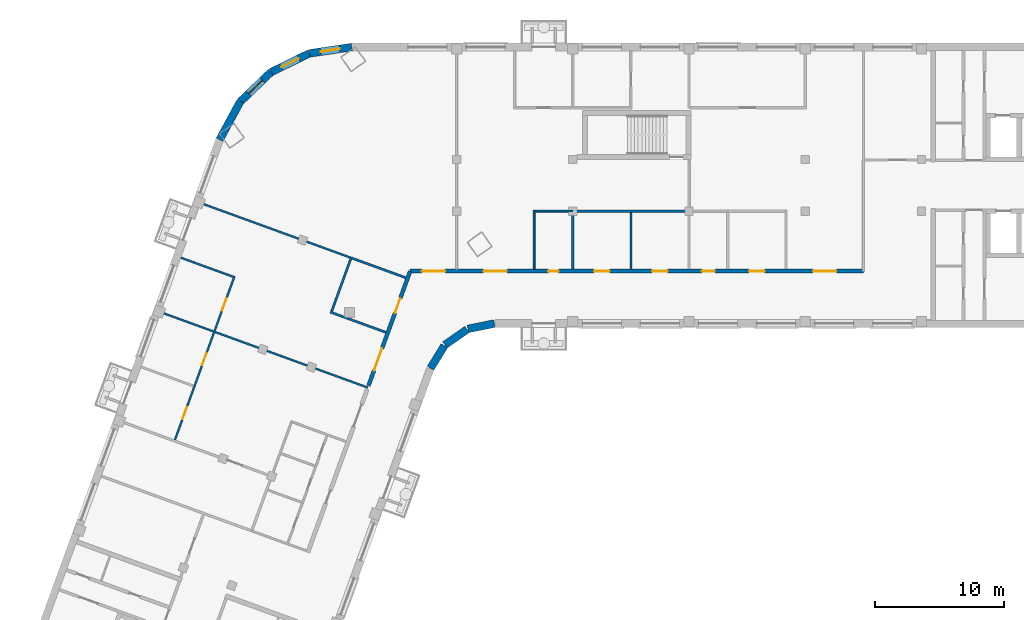
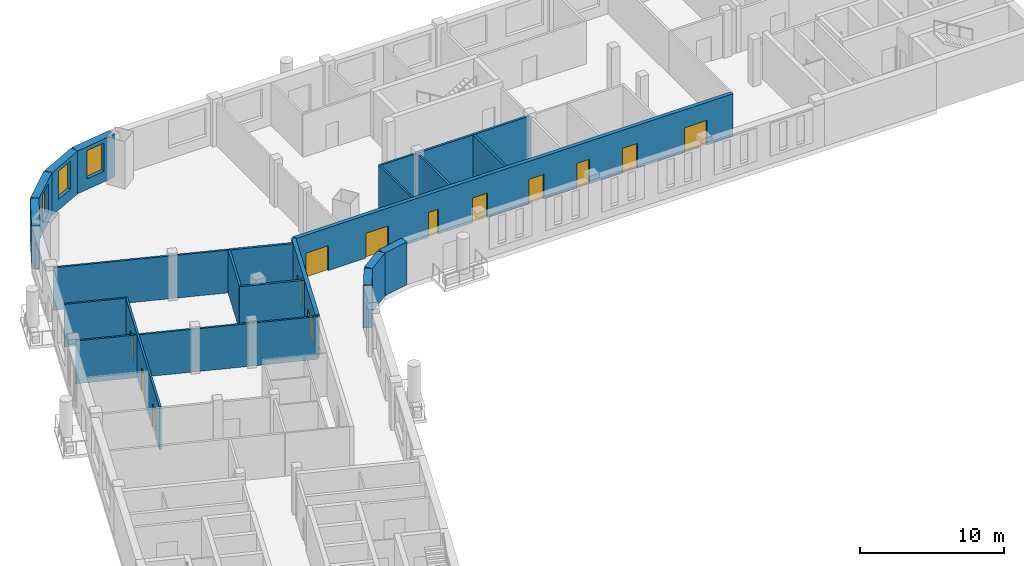
# One storey, part 4 of 11: 21 walls, 13 doors, 3 windows, 16 openings.
"""IFC4 building model written with IfcOpenShell, lengths in metres."""

from ifc_helpers import new_model, si_unit, direction, frame, frame_2d, origin, place, context, subcontext, project, spatial, rectangle, extrude, material, layer, layer_set, type_object, element, fill, save


model = new_model("IFC4")

# Units and contexts
model_context = context("Model", 3, precision=1e-05, world=origin(), true_north=direction((0.0, 1.0)))
body_context = subcontext(model_context, "Body", "Model", "MODEL_VIEW")
ifc_project = project(units=[si_unit("LENGTHUNIT", "METRE"), si_unit("AREAUNIT", "SQUARE_METRE"), si_unit("VOLUMEUNIT", "CUBIC_METRE"), si_unit("PLANEANGLEUNIT", "RADIAN"), si_unit("MASSUNIT", "GRAM", prefix="KILO")], contexts=[model_context])

# Site, building, storey
site_placement = place(None, origin())
site = spatial("IfcSite", under=ifc_project, at=site_placement, CompositionType="ELEMENT")
building_placement = place(site_placement, origin())
building = spatial("IfcBuilding", under=site, at=building_placement, Name="Skarvind Civic Tower", CompositionType="ELEMENT")
storey_placement = place(building_placement, frame((0.0, 0.0, 142.5)))
storey = spatial("IfcBuildingStorey", under=building, at=storey_placement, Name="L33", CompositionType="ELEMENT", Elevation=142.5)

# Walls
ifc_material_1 = material(Name="Acoustic gypsum board on steel studs", Category="steel")
ifc_layer_1 = layer(ifc_material_1, 0.175048828125)
ifc_layer_set_1 = layer_set([ifc_layer_1], Name="ACOUSTIC MEETING-ROOM PARTITION 175")
wall_type_1 = type_object("IfcWallType", Name="ACOUSTIC MEETING-ROOM PARTITION 175", PredefinedType="PARTITIONING", material=ifc_layer_set_1)
wall_1_placement = place(storey_placement, frame((44.462890625, 118.18408203125, 0.0), z_axis=(0.0, 0.0, 1.0), x_axis=(0.939667480086, -0.342089208934, 0.0)))
element("IfcWall", 1, at=wall_1_placement, inside=storey, type_object=wall_type_1, Name="Partition 33.021", PredefinedType="PARTITIONING", context=body_context, shape_type="SweptSolid", body=[
    extrude(rectangle(XDim=4.586669921875, YDim=0.175048828125, at=frame_2d((2.29345703125, 0.0))), origin(), (0.0, 0.0, 1.0), 3.625),
])
wall_2_placement = place(storey_placement, frame((46.053955078125, 122.301025390625, 0.0), z_axis=(0.0, 0.0, 1.0), x_axis=(-0.341915262023, -0.93973078783, 0.0)))
element("IfcWall", 2, at=wall_2_placement, inside=storey, type_object=wall_type_1, Name="Partition 33.023", PredefinedType="PARTITIONING", context=body_context, shape_type="SweptSolid", body=[
    extrude(rectangle(XDim=4.32568359375, YDim=0.175048828125, at=frame_2d((2.162841796875, 0.0))), origin(), (0.0, 0.0, 1.0), 3.625),
])
wall_3_placement = place(storey_placement, frame((50.31201171875, 120.843017578125, 0.0), z_axis=(0.0, 0.0, 1.0), x_axis=(-0.939609529273, 0.342248349154, 0.0)))
element("IfcWall", 3, at=wall_3_placement, inside=storey, type_object=wall_type_1, Name="Partition 33.025", PredefinedType="PARTITIONING", context=body_context, shape_type="SweptSolid", body=[
    extrude(rectangle(XDim=4.499755859375, YDim=0.175048828125, at=frame_2d((2.25, 0.0))), origin(), (0.0, 0.0, 1.0), 3.625),
])
wall_4_placement = place(storey_placement, frame((63.25, 121.5, 0.0), z_axis=(0.0, 0.0, 1.0), x_axis=(0.0, 1.0, 0.0)))
element("IfcWall", 4, at=wall_4_placement, inside=storey, type_object=wall_type_1, Name="Partition 33.031", PredefinedType="PARTITIONING", context=body_context, shape_type="SweptSolid", body=[
    extrude(rectangle(XDim=4.412109375, YDim=0.175048828125, at=frame_2d((2.2060546875, 0.0))), origin(), (0.0, 0.0, 1.0), 3.625),
])
wall_5_placement = place(storey_placement, frame((63.25, 126.0, 0.0), z_axis=(0.0, 0.0, 1.0), x_axis=(1.0, 0.0, 0.0)))
element("IfcWall", 5, at=wall_5_placement, inside=storey, type_object=wall_type_1, Name="Partition 33.033", PredefinedType="PARTITIONING", context=body_context, shape_type="SweptSolid", body=[
    extrude(rectangle(XDim=9.0, YDim=0.175048828125, at=frame_2d((4.5, 0.0))), origin(), (0.0, 0.0, 1.0), 3.625),
])
wall_6_placement = place(storey_placement, frame((67.75, 121.5, 0.0), z_axis=(0.0, 0.0, 1.0), x_axis=(0.0, 1.0, 0.0)))
element("IfcWall", 6, at=wall_6_placement, inside=storey, type_object=wall_type_1, Name="Partition 33.035", PredefinedType="PARTITIONING", context=body_context, shape_type="SweptSolid", body=[
    extrude(rectangle(XDim=4.412109375, YDim=0.175048828125, at=frame_2d((2.2060546875, 0.0))), origin(), (0.0, 0.0, 1.0), 3.625),
])

# Wall, openings, doors
ifc_material_2 = material(Name="Fire-rated gypsum board on steel studs", Category="steel")
ifc_layer_2 = layer(ifc_material_2, 0.300048828125)
ifc_layer_set_2 = layer_set([ifc_layer_2], Name="CORRIDOR WALL 300")
wall_type_2 = type_object("IfcWallType", Name="CORRIDOR WALL 300", PredefinedType="PARTITIONING", material=ifc_layer_set_2)
wall_7_placement = place(storey_placement, frame((47.425048828125, 112.472900390625, 0.0), z_axis=(0.0, 0.0, 1.0), x_axis=(0.34204602842, 0.939683198978, 0.0)))
wall_7 = element("IfcWall", 7, at=wall_7_placement, inside=storey, type_object=wall_type_2, Name="Partition 33.024", PredefinedType="PARTITIONING", context=body_context, shape_type="SweptSolid", body=[
    extrude(rectangle(XDim=9.446044921875, YDim=0.300048828125, at=frame_2d((4.72314453125, 0.0))), origin(), (0.0, 0.0, 1.0), 3.625),
])
opening_1_placement = place(wall_7_placement, frame((6.003173828125, 0.0, 0.0)))
opening_1 = element("IfcOpeningElement", 8, at=opening_1_placement, cuts=wall_7, Name="Opening L33-D020", PredefinedType="OPENING", context=body_context, shape_type="SweptSolid", body=[
    extrude(rectangle(XDim=1.199951171875, YDim=2.10009765625, at=frame_2d((0.60009765625, 1.050048828125))), frame((0.0, 0.159912109375, 0.0), z_axis=(0.0, -1.0, 0.0), x_axis=(1.0, 0.0, 0.0)), (0.0, 0.0, 1.0), 0.320068359375),
])
opening_2_placement = place(wall_7_placement, frame((1.2666015625, 0.0, 0.0)))
opening_2 = element("IfcOpeningElement", 9, at=opening_2_placement, cuts=wall_7, Name="Opening L33-D022", PredefinedType="OPENING", context=body_context, shape_type="SweptSolid", body=[
    extrude(rectangle(XDim=1.800048828125, YDim=2.10009765625, at=frame_2d((0.89990234375, 1.050048828125))), frame((0.0, 0.159912109375, 0.0), z_axis=(0.0, -1.0, 0.0), x_axis=(1.0, 0.0, 0.0)), (0.0, 0.0, 1.0), 0.320068359375),
])
ifc_material_3 = material(Name="Fire-rated timber door leaf", Category="wood")
door_type_1 = type_object("IfcDoorType", Name="FD4 1800x2100", OperationType="NOTDEFINED", PredefinedType="DOOR", material=ifc_material_3)
door_1_placement = place(opening_2_placement, origin())
door_1 = element("IfcDoor", 10, at=door_1_placement, inside=storey, type_object=door_type_1, Name="Door L33-D022", OperationType="DOUBLE_DOOR_SINGLE_SWING", OverallHeight=2.10009765625, OverallWidth=1.800048828125, PredefinedType="DOOR", context=body_context, shape_type="SweptSolid", body=[
    extrude(rectangle(XDim=1.800048828125, YDim=2.10009765625, at=frame_2d((0.89990234375, 1.050048828125))), frame((0.0, 0.02490234375, 0.0), z_axis=(0.0, -1.0, 0.0), x_axis=(1.0, 0.0, 0.0)), (0.0, 0.0, 1.0), 0.050048828125),
])
fill(opening_2, door_1)
door_type_2 = type_object("IfcDoorType", Name="FD6 1200x2100 DOUBLE", OperationType="NOTDEFINED", PredefinedType="DOOR", material=ifc_material_3)
door_2_placement = place(opening_1_placement, origin())
door_2 = element("IfcDoor", 11, at=door_2_placement, inside=storey, type_object=door_type_2, Name="Door L33-D020", OperationType="DOUBLE_DOOR_SINGLE_SWING", OverallHeight=2.10009765625, OverallWidth=1.199951171875, PredefinedType="DOOR", context=body_context, shape_type="SweptSolid", body=[
    extrude(rectangle(XDim=1.199951171875, YDim=2.10009765625, at=frame_2d((0.60009765625, 1.050048828125))), frame((0.0, 0.02490234375, 0.0), z_axis=(0.0, -1.0, 0.0), x_axis=(1.0, 0.0, 0.0)), (0.0, 0.0, 1.0), 0.050048828125),
])
fill(opening_1, door_2)

wall_8_placement = place(storey_placement, frame((50.656982421875, 121.35009765625, 0.0), z_axis=(0.0, 0.0, 1.0), x_axis=(1.0, 0.0, 0.0)))
wall_8 = element("IfcWall", 12, at=wall_8_placement, inside=storey, type_object=wall_type_2, Name="Partition 33.026", PredefinedType="PARTITIONING", context=body_context, shape_type="SweptSolid", body=[
    extrude(rectangle(XDim=35.095947265625, YDim=0.300048828125, at=frame_2d((17.5478515625, 0.0))), origin(), (0.0, 0.0, 1.0), 3.625),
])
opening_3_placement = place(wall_8_placement, frame((26.242919921875, 0.0, 0.0)))
opening_3 = element("IfcOpeningElement", 13, at=opening_3_placement, cuts=wall_8, Name="Opening L33-D002", PredefinedType="OPENING", context=body_context, shape_type="SweptSolid", body=[
    extrude(rectangle(XDim=1.199951171875, YDim=2.10009765625, at=frame_2d((0.60009765625, 1.050048828125))), frame((0.0, 0.159912109375, 0.0), z_axis=(0.0, -1.0, 0.0), x_axis=(1.0, 0.0, 0.0)), (0.0, 0.0, 1.0), 0.320068359375),
])
opening_4_placement = place(wall_8_placement, frame((22.593017578125, 0.0, 0.0)))
opening_4 = element("IfcOpeningElement", 14, at=opening_4_placement, cuts=wall_8, Name="Opening L33-D003", PredefinedType="OPENING", context=body_context, shape_type="SweptSolid", body=[
    extrude(rectangle(XDim=1.0, YDim=2.10009765625, at=frame_2d((0.5, 1.050048828125))), frame((0.0, 0.159912109375, 0.0), z_axis=(0.0, -1.0, 0.0), x_axis=(1.0, 0.0, 0.0)), (0.0, 0.0, 1.0), 0.320068359375),
])
opening_5_placement = place(wall_8_placement, frame((31.193115234375, 0.0, 0.0)))
opening_5 = element("IfcOpeningElement", 15, at=opening_5_placement, cuts=wall_8, Name="Opening L33-D005", PredefinedType="OPENING", context=body_context, shape_type="SweptSolid", body=[
    extrude(rectangle(XDim=1.800048828125, YDim=2.10009765625, at=frame_2d((0.89990234375, 1.050048828125))), frame((0.0, 0.159912109375, 0.0), z_axis=(0.0, -1.0, 0.0), x_axis=(1.0, 0.0, 0.0)), (0.0, 0.0, 1.0), 0.320068359375),
])
opening_6_placement = place(wall_8_placement, frame((18.742919921875, 0.0, 0.0)))
opening_6 = element("IfcOpeningElement", 16, at=opening_6_placement, cuts=wall_8, Name="Opening L33-D006", PredefinedType="OPENING", context=body_context, shape_type="SweptSolid", body=[
    extrude(rectangle(XDim=1.199951171875, YDim=2.10009765625, at=frame_2d((0.60009765625, 1.050048828125))), frame((0.0, 0.159912109375, 0.0), z_axis=(0.0, -1.0, 0.0), x_axis=(1.0, 0.0, 0.0)), (0.0, 0.0, 1.0), 0.320068359375),
])
opening_7_placement = place(wall_8_placement, frame((14.242919921875, 0.0, 0.0)))
opening_7 = element("IfcOpeningElement", 17, at=opening_7_placement, cuts=wall_8, Name="Opening L33-D007", PredefinedType="OPENING", context=body_context, shape_type="SweptSolid", body=[
    extrude(rectangle(XDim=1.199951171875, YDim=2.10009765625, at=frame_2d((0.60009765625, 1.050048828125))), frame((0.0, 0.159912109375, 0.0), z_axis=(0.0, -1.0, 0.0), x_axis=(1.0, 0.0, 0.0)), (0.0, 0.0, 1.0), 0.320068359375),
])
opening_8_placement = place(wall_8_placement, frame((10.693115234375, 0.0, 0.0)))
opening_8 = element("IfcOpeningElement", 18, at=opening_8_placement, cuts=wall_8, Name="Opening L33-D008", PredefinedType="OPENING", context=body_context, shape_type="SweptSolid", body=[
    extrude(rectangle(XDim=0.800048828125, YDim=2.10009765625, at=frame_2d((0.39990234375, 1.050048828125))), frame((0.0, 0.159912109375, 0.0), z_axis=(0.0, -1.0, 0.0), x_axis=(1.0, 0.0, 0.0)), (0.0, 0.0, 1.0), 0.320068359375),
])
opening_9_placement = place(wall_8_placement, frame((5.693115234375, 0.0, 0.0)))
opening_9 = element("IfcOpeningElement", 19, at=opening_9_placement, cuts=wall_8, Name="Opening L33-D011", PredefinedType="OPENING", context=body_context, shape_type="SweptSolid", body=[
    extrude(rectangle(XDim=1.800048828125, YDim=2.10009765625, at=frame_2d((0.89990234375, 1.050048828125))), frame((0.0, 0.159912109375, 0.0), z_axis=(0.0, -1.0, 0.0), x_axis=(1.0, 0.0, 0.0)), (0.0, 0.0, 1.0), 0.320068359375),
])
opening_10_placement = place(wall_8_placement, frame((0.89599609375, 0.0, 0.0)))
opening_10 = element("IfcOpeningElement", 20, at=opening_10_placement, cuts=wall_8, Name="Opening L33-D023", PredefinedType="OPENING", context=body_context, shape_type="SweptSolid", body=[
    extrude(rectangle(XDim=1.800048828125, YDim=2.10009765625, at=frame_2d((0.89990234375, 1.050048828125))), frame((0.0, 0.159912109375, 0.0), z_axis=(0.0, -1.0, 0.0), x_axis=(1.0, 0.0, 0.0)), (0.0, 0.0, 1.0), 0.320068359375),
])
door_type_3 = type_object("IfcDoorType", Name="FD1 1000x2100", OperationType="NOTDEFINED", PredefinedType="DOOR", material=ifc_material_3)
door_3_placement = place(opening_4_placement, origin())
door_3 = element("IfcDoor", 21, at=door_3_placement, inside=storey, type_object=door_type_3, Name="Door L33-D003", OperationType="SINGLE_SWING_LEFT", OverallHeight=2.10009765625, OverallWidth=1.0, PredefinedType="DOOR", context=body_context, shape_type="SweptSolid", body=[
    extrude(rectangle(XDim=1.0, YDim=2.10009765625, at=frame_2d((0.5, 1.050048828125))), frame((0.0, 0.02490234375, 0.0), z_axis=(0.0, -1.0, 0.0), x_axis=(1.0, 0.0, 0.0)), (0.0, 0.0, 1.0), 0.050048828125),
])
fill(opening_4, door_3)
door_4_placement = place(opening_5_placement, origin())
door_4 = element("IfcDoor", 22, at=door_4_placement, inside=storey, type_object=door_type_1, Name="Door L33-D005", OperationType="DOUBLE_DOOR_SINGLE_SWING", OverallHeight=2.10009765625, OverallWidth=1.800048828125, PredefinedType="DOOR", context=body_context, shape_type="SweptSolid", body=[
    extrude(rectangle(XDim=1.800048828125, YDim=2.10009765625, at=frame_2d((0.89990234375, 1.050048828125))), frame((0.0, 0.02490234375, 0.0), z_axis=(0.0, -1.0, 0.0), x_axis=(1.0, 0.0, 0.0)), (0.0, 0.0, 1.0), 0.050048828125),
])
fill(opening_5, door_4)
door_5_placement = place(opening_9_placement, origin())
door_5 = element("IfcDoor", 23, at=door_5_placement, inside=storey, type_object=door_type_1, Name="Door L33-D011", OperationType="DOUBLE_DOOR_SINGLE_SWING", OverallHeight=2.10009765625, OverallWidth=1.800048828125, PredefinedType="DOOR", context=body_context, shape_type="SweptSolid", body=[
    extrude(rectangle(XDim=1.800048828125, YDim=2.10009765625, at=frame_2d((0.89990234375, 1.050048828125))), frame((0.0, 0.02490234375, 0.0), z_axis=(0.0, -1.0, 0.0), x_axis=(1.0, 0.0, 0.0)), (0.0, 0.0, 1.0), 0.050048828125),
])
fill(opening_9, door_5)
door_6_placement = place(opening_10_placement, origin())
door_6 = element("IfcDoor", 24, at=door_6_placement, inside=storey, type_object=door_type_1, Name="Door L33-D023", OperationType="DOUBLE_DOOR_SINGLE_SWING", OverallHeight=2.10009765625, OverallWidth=1.800048828125, PredefinedType="DOOR", context=body_context, shape_type="SweptSolid", body=[
    extrude(rectangle(XDim=1.800048828125, YDim=2.10009765625, at=frame_2d((0.89990234375, 1.050048828125))), frame((0.0, 0.02490234375, 0.0), z_axis=(0.0, -1.0, 0.0), x_axis=(1.0, 0.0, 0.0)), (0.0, 0.0, 1.0), 0.050048828125),
])
fill(opening_10, door_6)
door_type_4 = type_object("IfcDoorType", Name="FD5 800x2100", OperationType="NOTDEFINED", PredefinedType="DOOR", material=ifc_material_3)
door_7_placement = place(opening_8_placement, origin())
door_7 = element("IfcDoor", 25, at=door_7_placement, inside=storey, type_object=door_type_4, Name="Door L33-D008", OperationType="SINGLE_SWING_LEFT", OverallHeight=2.10009765625, OverallWidth=0.800048828125, PredefinedType="DOOR", context=body_context, shape_type="SweptSolid", body=[
    extrude(rectangle(XDim=0.800048828125, YDim=2.10009765625, at=frame_2d((0.39990234375, 1.050048828125))), frame((0.0, 0.02490234375, 0.0), z_axis=(0.0, -1.0, 0.0), x_axis=(1.0, 0.0, 0.0)), (0.0, 0.0, 1.0), 0.050048828125),
])
fill(opening_8, door_7)
door_8_placement = place(opening_3_placement, origin())
door_8 = element("IfcDoor", 26, at=door_8_placement, inside=storey, type_object=door_type_2, Name="Door L33-D002", OperationType="DOUBLE_DOOR_SINGLE_SWING", OverallHeight=2.10009765625, OverallWidth=1.199951171875, PredefinedType="DOOR", context=body_context, shape_type="SweptSolid", body=[
    extrude(rectangle(XDim=1.199951171875, YDim=2.10009765625, at=frame_2d((0.60009765625, 1.050048828125))), frame((0.0, 0.02490234375, 0.0), z_axis=(0.0, -1.0, 0.0), x_axis=(1.0, 0.0, 0.0)), (0.0, 0.0, 1.0), 0.050048828125),
])
fill(opening_3, door_8)
door_9_placement = place(opening_6_placement, origin())
door_9 = element("IfcDoor", 27, at=door_9_placement, inside=storey, type_object=door_type_2, Name="Door L33-D006", OperationType="DOUBLE_DOOR_SINGLE_SWING", OverallHeight=2.10009765625, OverallWidth=1.199951171875, PredefinedType="DOOR", context=body_context, shape_type="SweptSolid", body=[
    extrude(rectangle(XDim=1.199951171875, YDim=2.10009765625, at=frame_2d((0.60009765625, 1.050048828125))), frame((0.0, 0.02490234375, 0.0), z_axis=(0.0, -1.0, 0.0), x_axis=(1.0, 0.0, 0.0)), (0.0, 0.0, 1.0), 0.050048828125),
])
fill(opening_6, door_9)
door_10_placement = place(opening_7_placement, origin())
door_10 = element("IfcDoor", 28, at=door_10_placement, inside=storey, type_object=door_type_2, Name="Door L33-D007", OperationType="DOUBLE_DOOR_SINGLE_SWING", OverallHeight=2.10009765625, OverallWidth=1.199951171875, PredefinedType="DOOR", context=body_context, shape_type="SweptSolid", body=[
    extrude(rectangle(XDim=1.199951171875, YDim=2.10009765625, at=frame_2d((0.60009765625, 1.050048828125))), frame((0.0, 0.02490234375, 0.0), z_axis=(0.0, -1.0, 0.0), x_axis=(1.0, 0.0, 0.0)), (0.0, 0.0, 1.0), 0.050048828125),
])
fill(opening_7, door_10)

# Wall
ifc_material_4 = material(Name="Plasterboard partition on steel studs", Category="steel")
ifc_layer_3 = layer(ifc_material_4, 0.14990234375)
ifc_layer_set_3 = layer_set([ifc_layer_3], Name="PARTITION 150")
wall_type_3 = type_object("IfcWallType", Name="PARTITION 150", PredefinedType="PARTITIONING", material=ifc_layer_set_3)
wall_9_placement = place(storey_placement, frame((31.35302734375, 118.166015625, 0.0), z_axis=(0.0, 0.0, 1.0), x_axis=(0.939701413127, -0.341995985602, 0.0)))
element("IfcWall", 29, at=wall_9_placement, inside=storey, type_object=wall_type_3, Name="Partition 33.003", PredefinedType="PARTITIONING", context=body_context, shape_type="SweptSolid", body=[
    extrude(rectangle(XDim=17.050048828125, YDim=0.14990234375, at=frame_2d((8.52490234375, 0.0))), origin(), (0.0, 0.0, 1.0), 3.625),
])

# Wall, openings, doors
wall_10_placement = place(storey_placement, frame((37.052978515625, 120.9599609375, 0.0), z_axis=(0.0, 0.0, 1.0), x_axis=(-0.342023551531, -0.939691380293, 0.0)))
wall_10 = element("IfcWall", 30, at=wall_10_placement, inside=storey, type_object=wall_type_3, Name="Partition 33.004", PredefinedType="PARTITIONING", context=body_context, shape_type="SweptSolid", body=[
    extrude(rectangle(XDim=13.487548828125, YDim=0.14990234375, at=frame_2d((6.74365234375, 0.0))), origin(), (0.0, 0.0, 1.0), 3.625),
])
opening_11_placement = place(wall_10_placement, frame((10.791015625, 0.0, 0.0)))
opening_11 = element("IfcOpeningElement", 31, at=opening_11_placement, cuts=wall_10, Name="Opening L33-D017", PredefinedType="OPENING", context=body_context, shape_type="SweptSolid", body=[
    extrude(rectangle(XDim=1.0, YDim=2.10009765625, at=frame_2d((0.5, 1.050048828125))), frame((0.0, 0.0849609375, 0.0), z_axis=(0.0, -1.0, 0.0), x_axis=(1.0, 0.0, 0.0)), (0.0, 0.0, 1.0), 0.169921875),
])
opening_12_placement = place(wall_10_placement, frame((6.32421875, 0.0, 0.0)))
opening_12 = element("IfcOpeningElement", 32, at=opening_12_placement, cuts=wall_10, Name="Opening L33-D018", PredefinedType="OPENING", context=body_context, shape_type="SweptSolid", body=[
    extrude(rectangle(XDim=1.0, YDim=2.10009765625, at=frame_2d((0.5, 1.050048828125))), frame((0.0, 0.0849609375, 0.0), z_axis=(0.0, -1.0, 0.0), x_axis=(1.0, 0.0, 0.0)), (0.0, 0.0, 1.0), 0.169921875),
])
opening_13_placement = place(wall_10_placement, frame((1.82421875, 0.0, 0.0)))
opening_13 = element("IfcOpeningElement", 33, at=opening_13_placement, cuts=wall_10, Name="Opening L33-D021", PredefinedType="OPENING", context=body_context, shape_type="SweptSolid", body=[
    extrude(rectangle(XDim=1.0, YDim=2.10009765625, at=frame_2d((0.5, 1.050048828125))), frame((0.0, 0.0849609375, 0.0), z_axis=(0.0, -1.0, 0.0), x_axis=(1.0, 0.0, 0.0)), (0.0, 0.0, 1.0), 0.169921875),
])
ifc_material_5 = material(Name="Timber door leaf", Category="wood")
door_type_5 = type_object("IfcDoorType", Name="D1 1000x2100", OperationType="NOTDEFINED", PredefinedType="DOOR", material=ifc_material_5)
door_11_placement = place(opening_11_placement, origin())
door_11 = element("IfcDoor", 34, at=door_11_placement, inside=storey, type_object=door_type_5, Name="Door L33-D017", OperationType="SINGLE_SWING_LEFT", OverallHeight=2.10009765625, OverallWidth=1.0, PredefinedType="DOOR", context=body_context, shape_type="SweptSolid", body=[
    extrude(rectangle(XDim=1.0, YDim=2.10009765625, at=frame_2d((0.5, 1.050048828125))), frame((0.0, 0.02490234375, 0.0), z_axis=(0.0, -1.0, 0.0), x_axis=(1.0, 0.0, 0.0)), (0.0, 0.0, 1.0), 0.050048828125),
])
fill(opening_11, door_11)
door_12_placement = place(opening_12_placement, origin())
door_12 = element("IfcDoor", 35, at=door_12_placement, inside=storey, type_object=door_type_5, Name="Door L33-D018", OperationType="SINGLE_SWING_RIGHT", OverallHeight=2.10009765625, OverallWidth=1.0, PredefinedType="DOOR", context=body_context, shape_type="SweptSolid", body=[
    extrude(rectangle(XDim=1.0, YDim=2.10009765625, at=frame_2d((0.5, 1.050048828125))), frame((0.0, 0.02490234375, 0.0), z_axis=(0.0, -1.0, 0.0), x_axis=(1.0, 0.0, 0.0)), (0.0, 0.0, 1.0), 0.050048828125),
])
fill(opening_12, door_12)
door_13_placement = place(opening_13_placement, origin())
door_13 = element("IfcDoor", 36, at=door_13_placement, inside=storey, type_object=door_type_5, Name="Door L33-D021", OperationType="SINGLE_SWING_LEFT", OverallHeight=2.10009765625, OverallWidth=1.0, PredefinedType="DOOR", context=body_context, shape_type="SweptSolid", body=[
    extrude(rectangle(XDim=1.0, YDim=2.10009765625, at=frame_2d((0.5, 1.050048828125))), frame((0.0, 0.02490234375, 0.0), z_axis=(0.0, -1.0, 0.0), x_axis=(1.0, 0.0, 0.0)), (0.0, 0.0, 1.0), 0.050048828125),
])
fill(opening_13, door_13)

# Walls
wall_11_placement = place(storey_placement, frame((32.89208984375, 122.39501953125, 0.0), z_axis=(0.0, 0.0, 1.0), x_axis=(0.93973078783, -0.341915262023, 0.0)))
element("IfcWall", 37, at=wall_11_placement, inside=storey, type_object=wall_type_3, Name="Partition 33.005", PredefinedType="PARTITIONING", context=body_context, shape_type="SweptSolid", body=[
    extrude(rectangle(XDim=4.32568359375, YDim=0.14990234375, at=frame_2d((2.162841796875, 0.0))), origin(), (0.0, 0.0, 1.0), 3.625),
])
wall_12_placement = place(storey_placement, frame((46.083984375, 122.383056640625, 0.0), z_axis=(0.0, 0.0, 1.0), x_axis=(-0.939703144457, 0.341991228392, 0.0)))
element("IfcWall", 38, at=wall_12_placement, inside=storey, type_object=wall_type_3, Name="Partition 33.022", PredefinedType="PARTITIONING", context=body_context, shape_type="SweptSolid", body=[
    extrude(rectangle(XDim=12.40087890625, YDim=0.14990234375, at=frame_2d((6.200439453125, 0.0))), origin(), (0.0, 0.0, 1.0), 3.625),
])
wall_13_placement = place(storey_placement, frame((60.25, 126.074951171875, 0.0), z_axis=(0.0, 0.0, 1.0), x_axis=(0.0, -1.0, 0.0)))
element("IfcWall", 39, at=wall_13_placement, inside=storey, type_object=wall_type_3, Name="Partition 33.030", PredefinedType="PARTITIONING", context=body_context, shape_type="SweptSolid", body=[
    extrude(rectangle(XDim=4.574951171875, YDim=0.14990234375, at=frame_2d((2.28759765625, 0.0))), origin(), (0.0, 0.0, 1.0), 3.625),
])
wall_14_placement = place(storey_placement, frame((63.25, 126.0, 0.0), z_axis=(0.0, 0.0, 1.0), x_axis=(-1.0, 0.0, 0.0)))
element("IfcWall", 40, at=wall_14_placement, inside=storey, type_object=wall_type_3, Name="Partition 33.032", PredefinedType="PARTITIONING", context=body_context, shape_type="SweptSolid", body=[
    extrude(rectangle(XDim=2.925048828125, YDim=0.14990234375, at=frame_2d((1.46240234375, 0.0))), origin(), (0.0, 0.0, 1.0), 3.625),
])
ifc_material_6 = material(Name="Limestone masonry cladding on insulated backing", Category="masonry")
ifc_layer_4 = layer(ifc_material_6, 0.60009765625)
ifc_layer_set_4 = layer_set([ifc_layer_4], Name="WX1 STONE FACADE WALL 600")
wall_type_4 = type_object("IfcWallType", Name="WX1 STONE FACADE WALL 600", PredefinedType="SOLIDWALL", material=ifc_layer_set_4)
wall_15_placement = place(storey_placement, frame((53.30517578125, 115.578369140625, 0.0), z_axis=(0.0, 0.0, 1.0), x_axis=(-0.522402266438, -0.852699168535, 0.0)))
element("IfcWall", 41, at=wall_15_placement, inside=storey, type_object=wall_type_4, Name="STONE FACADE WALL", PredefinedType="SOLIDWALL", context=body_context, shape_type="SweptSolid", body=[
    extrude(rectangle(XDim=2.042236328125, YDim=0.60009765625, at=frame_2d((1.02099609375, 0.0))), origin(), (0.0, 0.0, 1.0), 3.625),
])
for number, where, z_axis, x_axis, name in (
    (42, (55.061767578125, 116.8388671875, 0.0), (0.0, 0.0, 1.0), (-0.819122269495, -0.573618956815, 0.0), "STONE FACADE WALL"),
    (43, (57.17529296875, 117.2939453125, 0.0), (0.0, 0.0, 1.0), (-0.97996099083, -0.19918949885, 0.0), "STONE FACADE WALL"),
):
    element("IfcWall", number, at=place(storey_placement, frame(where, z_axis=z_axis, x_axis=x_axis)), inside=storey, type_object=wall_type_4, Name=name, PredefinedType="SOLIDWALL", context=body_context, shape_type="SweptSolid", body=[
        extrude(rectangle(XDim=2.09228515625, YDim=0.60009765625, at=frame_2d((1.046142578125, 0.0))), origin(), (0.0, 0.0, 1.0), 3.625),
    ])

# Wall, opening, window
wall_16_placement = place(storey_placement, frame((42.872802734375, 138.21728515625, 0.0), z_axis=(0.0, 0.0, 1.0), x_axis=(0.989110792192, 0.14717282619, 0.0)))
wall_16 = element("IfcWall", 44, at=wall_16_placement, inside=storey, type_object=wall_type_4, Name="STONE FACADE WALL", PredefinedType="SOLIDWALL", context=body_context, shape_type="SweptSolid", body=[
    extrude(rectangle(XDim=3.302734375, YDim=0.60009765625, at=frame_2d((1.6513671875, 0.0))), origin(), (0.0, 0.0, 1.0), 3.625),
])
opening_14_placement = place(wall_16_placement, frame((0.8564453125, 0.0, 0.89990234375)))
opening_14 = element("IfcOpeningElement", 45, at=opening_14_placement, cuts=wall_16, Name="Opening WN8", PredefinedType="OPENING", context=body_context, shape_type="SweptSolid", body=[
    extrude(rectangle(XDim=1.5, YDim=2.39990234375, at=frame_2d((0.75, 1.199951171875))), frame((0.0, 0.31005859375, 0.0), z_axis=(0.0, -1.0, 0.0), x_axis=(1.0, 0.0, 0.0)), (0.0, 0.0, 1.0), 0.6201171875),
])
ifc_material_7 = material(Name="Timber frame, double glazing, timber-lined reveal", Category="wood")
window_type = type_object("IfcWindowType", Name="WN8 ARC BAY WINDOW 1500 x 2400", PartitioningType="SINGLE_PANEL", PredefinedType="WINDOW", material=ifc_material_7)
window_1_placement = place(opening_14_placement, origin())
window_1 = element("IfcWindow", 46, at=window_1_placement, inside=storey, type_object=window_type, Name="WN8 WINDOW", OverallHeight=2.39990234375, OverallWidth=1.5, PartitioningType="SINGLE_PANEL", PredefinedType="WINDOW", context=body_context, shape_type="SweptSolid", body=[
    extrude(rectangle(XDim=1.5, YDim=2.39990234375, at=frame_2d((0.75, 1.199951171875))), frame((0.0, 0.030029296875, 0.0), z_axis=(0.0, -1.0, 0.0), x_axis=(1.0, 0.0, 0.0)), (0.0, 0.0, 1.0), 0.06005859375),
])
fill(opening_14, window_1)

wall_17_placement = place(storey_placement, frame((39.9072265625, 136.77587890625, 0.0), z_axis=(0.0, 0.0, 1.0), x_axis=(0.89761231107, 0.440785819889, 0.0)))
wall_17 = element("IfcWall", 47, at=wall_17_placement, inside=storey, type_object=wall_type_4, Name="STONE FACADE WALL", PredefinedType="SOLIDWALL", context=body_context, shape_type="SweptSolid", body=[
    extrude(rectangle(XDim=3.302734375, YDim=0.60009765625, at=frame_2d((1.6513671875, 0.0))), origin(), (0.0, 0.0, 1.0), 3.625),
])
opening_15_placement = place(wall_17_placement, frame((0.8564453125, 0.0, 0.89990234375)))
opening_15 = element("IfcOpeningElement", 48, at=opening_15_placement, cuts=wall_17, Name="Opening WN8", PredefinedType="OPENING", context=body_context, shape_type="SweptSolid", body=[
    extrude(rectangle(XDim=1.5, YDim=2.39990234375, at=frame_2d((0.75, 1.199951171875))), frame((0.0, 0.31005859375, 0.0), z_axis=(0.0, -1.0, 0.0), x_axis=(1.0, 0.0, 0.0)), (0.0, 0.0, 1.0), 0.6201171875),
])
window_2_placement = place(opening_15_placement, origin())
window_2 = element("IfcWindow", 49, at=window_2_placement, inside=storey, type_object=window_type, Name="WN8 WINDOW", OverallHeight=2.39990234375, OverallWidth=1.5, PartitioningType="SINGLE_PANEL", PredefinedType="WINDOW", context=body_context, shape_type="SweptSolid", body=[
    extrude(rectangle(XDim=1.5, YDim=2.39990234375, at=frame_2d((0.75, 1.199951171875))), frame((0.0, 0.030029296875, 0.0), z_axis=(0.0, -1.0, 0.0), x_axis=(1.0, 0.0, 0.0)), (0.0, 0.0, 1.0), 0.06005859375),
])
fill(opening_15, window_2)

wall_18_placement = place(storey_placement, frame((37.520263671875, 134.501220703125, 0.0), z_axis=(0.0, 0.0, 1.0), x_axis=(0.72115684486, 0.692771827596, 0.0)))
wall_18 = element("IfcWall", 50, at=wall_18_placement, inside=storey, type_object=wall_type_4, Name="STONE FACADE WALL", PredefinedType="SOLIDWALL", context=body_context, shape_type="SweptSolid", body=[
    extrude(rectangle(XDim=3.302734375, YDim=0.60009765625, at=frame_2d((1.6513671875, 0.0))), origin(), (0.0, 0.0, 1.0), 3.625),
])
opening_16_placement = place(wall_18_placement, frame((0.8564453125, 0.0, 0.89990234375)))
opening_16 = element("IfcOpeningElement", 51, at=opening_16_placement, cuts=wall_18, Name="Opening WN8", PredefinedType="OPENING", context=body_context, shape_type="SweptSolid", body=[
    extrude(rectangle(XDim=1.5, YDim=2.39990234375, at=frame_2d((0.75, 1.199951171875))), frame((0.0, 0.31005859375, 0.0), z_axis=(0.0, -1.0, 0.0), x_axis=(1.0, 0.0, 0.0)), (0.0, 0.0, 1.0), 0.6201171875),
])
window_3_placement = place(opening_16_placement, origin())
window_3 = element("IfcWindow", 52, at=window_3_placement, inside=storey, type_object=window_type, Name="WN8 WINDOW", OverallHeight=2.39990234375, OverallWidth=1.5, PartitioningType="SINGLE_PANEL", PredefinedType="WINDOW", context=body_context, shape_type="SweptSolid", body=[
    extrude(rectangle(XDim=1.5, YDim=2.39990234375, at=frame_2d((0.75, 1.199951171875))), frame((0.0, 0.030029296875, 0.0), z_axis=(0.0, -1.0, 0.0), x_axis=(1.0, 0.0, 0.0)), (0.0, 0.0, 1.0), 0.06005859375),
])
fill(opening_16, window_3)

# Wall
wall_19_placement = place(storey_placement, frame((35.89453125, 131.529541015625, 0.0), z_axis=(0.0, 0.0, 1.0), x_axis=(0.476531180538, 0.879157570618, 0.0)))
element("IfcWall", 53, at=wall_19_placement, inside=storey, type_object=wall_type_4, Name="STONE FACADE WALL", PredefinedType="SOLIDWALL", context=body_context, shape_type="SweptSolid", body=[
    extrude(rectangle(XDim=3.392578125, YDim=0.60009765625, at=frame_2d((1.6962890625, 0.0))), origin(), (0.0, 0.0, 1.0), 3.625),
])

save(model, "model.ifc")
